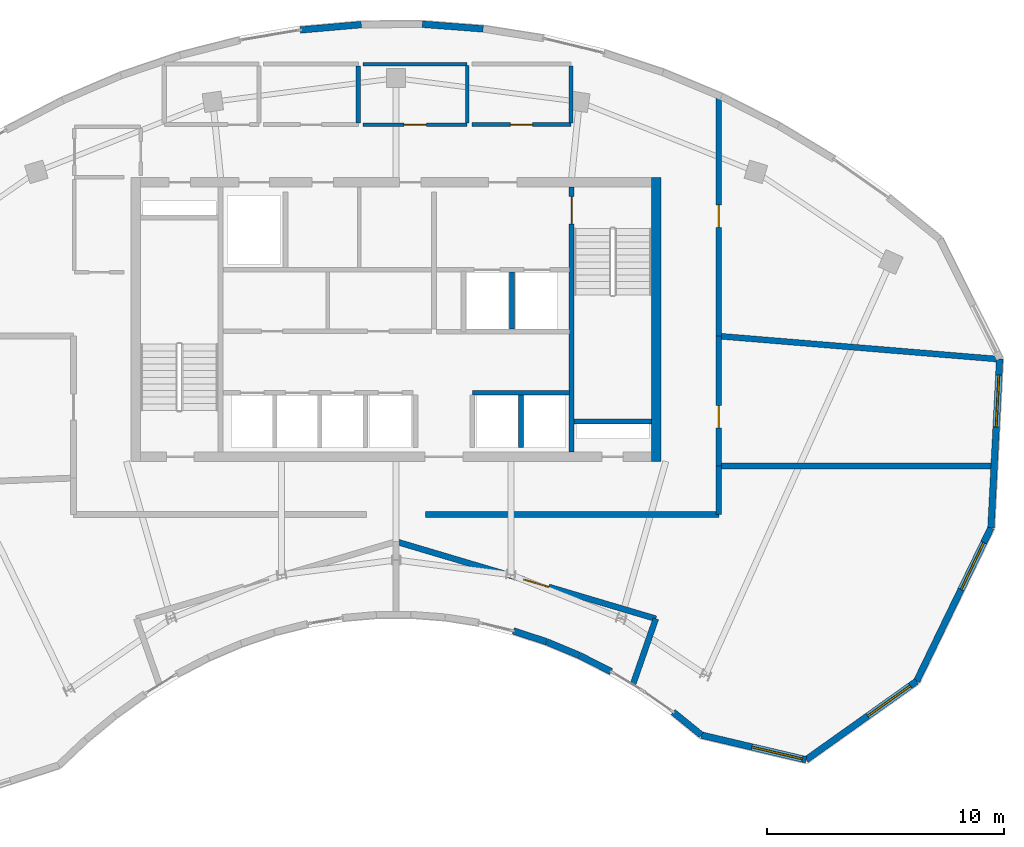
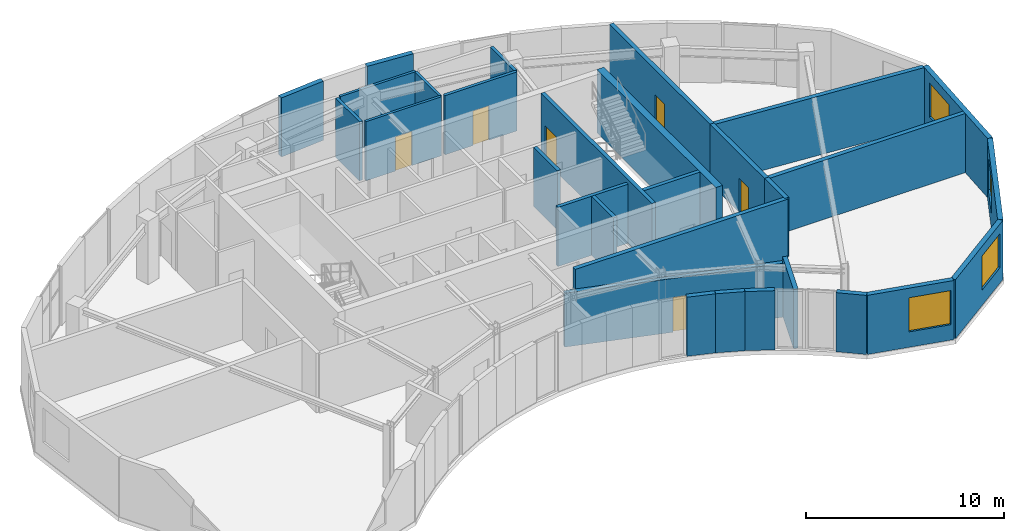
# One storey, part 7 of 9: 30 walls, 6 doors, 4 windows, 10 openings.
"""IFC4 building model written with IfcOpenShell, lengths in metres."""

from ifc_helpers import new_model, si_unit, direction, frame, frame_2d, origin, place, context, subcontext, project, spatial, rectangle, extrude, source, transform, mapped, material, layer, layer_set, type_object, type_shapes, element, fill, save


model = new_model("IFC4")

# Units and contexts
model_context = context("Model", 3, precision=1e-05, world=origin(), true_north=direction((0.0, 1.0)))
body_context = subcontext(model_context, "Body", "Model", "MODEL_VIEW")
ifc_project = project(units=[si_unit("LENGTHUNIT", "METRE"), si_unit("AREAUNIT", "SQUARE_METRE"), si_unit("VOLUMEUNIT", "CUBIC_METRE"), si_unit("PLANEANGLEUNIT", "RADIAN"), si_unit("MASSUNIT", "GRAM", prefix="KILO")], contexts=[model_context])

# Site, building, storey
site_placement = place(None, origin())
site = spatial("IfcSite", under=ifc_project, at=site_placement, CompositionType="ELEMENT")
building_placement = place(site_placement, origin())
building = spatial("IfcBuilding", under=site, at=building_placement, Name="Breltana Convention Tower", CompositionType="ELEMENT")
storey_placement = place(building_placement, frame((0.0, 0.0, 299.10009765625)))
storey = spatial("IfcBuildingStorey", under=building, at=storey_placement, Name="L73", CompositionType="ELEMENT", Elevation=299.10009765625)

# Walls
ifc_material_1 = material(Name="Concrete C50/60", Category="concrete")
ifc_layer_1 = layer(ifc_material_1, 0.39990234375, Name="Concrete C50/60")
ifc_layer_set_1 = layer_set([ifc_layer_1], Name="Concrete C50/60")
wall_type_1 = type_object("IfcWallType", Name="SW-CORE-400", PredefinedType="SHEAR", material=ifc_layer_set_1)
shared_shape_1 = source(origin(), body_context, "Body", "SweptSolid", [
    extrude(rectangle(XDim=3.27001953125, YDim=0.219970703125, at=frame_2d((1.635009765625, 0.0))), origin(), (0.0, 0.0, 1.0), 3.89990234375),
])
wall_1_placement = place(storey_placement, frame((55.530029296875, 61.889892578125, 0.0), z_axis=(0.0, 0.0, 1.0), x_axis=(1.0, 0.0, 0.0)))
element("IfcWall", 1, at=wall_1_placement, inside=storey, type_object=wall_type_1, Name="L73 ST-2 Stairwell South Bearing Wall", PredefinedType="SHEAR", context=body_context, shape_type="MappedRepresentation", body=[
    mapped(shared_shape_1, transform((0.0, 0.0, 0.0), scale=1.0)),
])
shared_shape_2 = source(origin(), body_context, "Body", "SweptSolid", [
    extrude(rectangle(XDim=12.0, YDim=0.39990234375, at=frame_2d((6.0, 0.0))), origin(), (0.0, 0.0, 1.0), 3.89990234375),
])
wall_2_placement = place(storey_placement, frame((59.0, 60.199951171875, 0.0), z_axis=(0.0, 0.0, 1.0), x_axis=(0.0, 1.0, 0.0)))
element("IfcWall", 2, at=wall_2_placement, inside=storey, type_object=wall_type_1, Name="L73 East Core Shear Wall", PredefinedType="SHEAR", context=body_context, shape_type="MappedRepresentation", body=[
    mapped(shared_shape_2, transform((0.0, 0.0, 0.0), scale=1.0)),
])

# Wall, opening, door
shared_shape_3 = source(origin(), body_context, "Body", "SweptSolid", [
    extrude(rectangle(XDim=11.199951171875, YDim=0.219970703125, at=frame_2d((5.60009765625, 0.0))), origin(), (0.0, 0.0, 1.0), 3.89990234375),
])
wall_3_placement = place(storey_placement, frame((55.419921875, 60.60009765625, 0.0), z_axis=(0.0, 0.0, 1.0), x_axis=(0.0, 1.0, 0.0)))
wall_3 = element("IfcWall", 3, at=wall_3_placement, inside=storey, type_object=wall_type_1, Name="L73 Core East Stair Spine Wall", PredefinedType="SHEAR", context=body_context, shape_type="MappedRepresentation", body=[
    mapped(shared_shape_3, transform((0.0, 0.0, 0.0), scale=1.0)),
])
opening_1_placement = place(wall_3_placement, frame((9.64501953125, 0.0, 0.0)))
opening_1 = element("IfcOpeningElement", 4, at=opening_1_placement, cuts=wall_3, Name="Opening D-11", PredefinedType="OPENING", context=body_context, shape_type="SweptSolid", body=[
    extrude(rectangle(XDim=1.14990234375, YDim=2.14990234375, at=frame_2d((0.574951171875, 1.074951171875))), frame((0.0, 0.1201171875, 0.0), z_axis=(0.0, -1.0, 0.0), x_axis=(1.0, 0.0, 0.0)), (0.0, 0.0, 1.0), 0.239990234375),
])
ifc_material_2 = material(Name="Steel Stair Exit Door", Category="steel")
door_type_1 = type_object("IfcDoorType", Name="DR-FD120-1150", OperationType="NOTDEFINED", PredefinedType="DOOR", material=ifc_material_2)
shared_shape_4 = source(origin(), body_context, "Body", "SweptSolid", [
    extrude(rectangle(XDim=1.14990234375, YDim=2.14990234375, at=frame_2d((0.574951171875, 1.074951171875))), frame((0.0, 0.02490234375, 0.0), z_axis=(0.0, -1.0, 0.0), x_axis=(1.0, 0.0, 0.0)), (0.0, 0.0, 1.0), 0.050048828125),
])
type_shapes(door_type_1, [shared_shape_4])
door_1_placement = place(opening_1_placement, origin())
door_1 = element("IfcDoor", 5, at=door_1_placement, inside=storey, type_object=door_type_1, Name="L73 interior door D-L73-ST2", OperationType="SINGLE_SWING_LEFT", OverallHeight=2.14990234375, OverallWidth=1.14990234375, PredefinedType="DOOR", context=body_context, shape_type="MappedRepresentation", body=[
    mapped(shared_shape_4, transform((0.0, 0.0, 0.0), scale=1.0)),
])
fill(opening_1, door_1)

# Wall, opening, window
ifc_material_3 = material(Name="Limestone Buff Insulated Wall", Category="masonry")
ifc_layer_2 = layer(ifc_material_3, 0.280029296875, Name="Limestone Buff Insulated Wall")
ifc_layer_set_2 = layer_set([ifc_layer_2], Name="Limestone Buff Insulated Wall")
wall_type_2 = type_object("IfcWallType", Name="WL-EXT-NOSE-280", PredefinedType="SOLIDWALL", material=ifc_layer_set_2)
shared_shape_5 = source(origin(), body_context, "Body", "SweptSolid", [
    extrude(rectangle(XDim=7.151123046875, YDim=0.280029296875, at=frame_2d((3.57568359375, 0.0))), origin(), (0.0, 0.0, 1.0), 3.639892578125),
])
wall_4_placement = place(storey_placement, frame((73.516357421875, 64.540283203125, 0.0), z_axis=(0.0, 0.0, 1.0), x_axis=(-0.051449614265, -0.998675591567, 0.0)))
wall_4 = element("IfcWall", 6, at=wall_4_placement, inside=storey, type_object=wall_type_2, Name="L73 curved limestone nose wall E2", PredefinedType="SOLIDWALL", context=body_context, shape_type="MappedRepresentation", body=[
    mapped(shared_shape_5, transform((0.0, 0.0, 0.0), scale=1.0)),
])
opening_2_placement = place(wall_4_placement, frame((0.687744140625, 0.0, 0.949951171875)))
opening_2 = element("IfcOpeningElement", 7, at=opening_2_placement, cuts=wall_4, Name="Opening W-03", PredefinedType="OPENING", context=body_context, shape_type="SweptSolid", body=[
    extrude(rectangle(XDim=2.199951171875, YDim=2.10009765625, at=frame_2d((1.10009765625, 1.050048828125))), frame((0.0, 0.14990234375, 0.0), z_axis=(0.0, -1.0, 0.0), x_axis=(1.0, 0.0, 0.0)), (0.0, 0.0, 1.0), 0.300048828125),
])
ifc_material_4 = material(Name="Glass Low-E Insulated Window", Category="glass")
window_type = type_object("IfcWindowType", Name="WN-NOSE-2200X2100", PartitioningType="TRIPLE_PANEL_VERTICAL", PredefinedType="WINDOW", material=ifc_material_4)
shared_shape_6 = source(origin(), body_context, "Body", "SweptSolid", [
    extrude(rectangle(XDim=2.199951171875, YDim=2.10009765625, at=frame_2d((1.10009765625, 1.050048828125))), frame((0.0, 0.030029296875, 0.0), z_axis=(0.0, -1.0, 0.0), x_axis=(1.0, 0.0, 0.0)), (0.0, 0.0, 1.0), 0.06005859375),
])
type_shapes(window_type, [shared_shape_6])
window_1_placement = place(opening_2_placement, origin())
window_1 = element("IfcWindow", 8, at=window_1_placement, inside=storey, type_object=window_type, Name="L73 nose window E2", OverallHeight=2.10009765625, OverallWidth=2.199951171875, PartitioningType="TRIPLE_PANEL_VERTICAL", PredefinedType="WINDOW", context=body_context, shape_type="MappedRepresentation", body=[
    mapped(shared_shape_6, transform((0.0, 0.0, 0.0), scale=1.0)),
])
fill(opening_2, window_1)

shared_shape_7 = source(origin(), body_context, "Body", "SweptSolid", [
    extrude(rectangle(XDim=7.21142578125, YDim=0.280029296875, at=frame_2d((3.605712890625, 0.0))), origin(), (0.0, 0.0, 1.0), 3.639892578125),
])
wall_5_placement = place(storey_placement, frame((73.1484375, 57.398681640625, 0.0), z_axis=(0.0, 0.0, 1.0), x_axis=(-0.436088263006, -0.899903898685, 0.0)))
wall_5 = element("IfcWall", 9, at=wall_5_placement, inside=storey, type_object=wall_type_2, Name="L73 curved limestone nose wall E3", PredefinedType="SOLIDWALL", context=body_context, shape_type="MappedRepresentation", body=[
    mapped(shared_shape_7, transform((0.0, 0.0, 0.0), scale=1.0)),
])
opening_3_placement = place(wall_5_placement, frame((0.702880859375, 0.0, 0.949951171875)))
opening_3 = element("IfcOpeningElement", 10, at=opening_3_placement, cuts=wall_5, Name="Opening W-03", PredefinedType="OPENING", context=body_context, shape_type="SweptSolid", body=[
    extrude(rectangle(XDim=2.199951171875, YDim=2.10009765625, at=frame_2d((1.10009765625, 1.050048828125))), frame((0.0, 0.14990234375, 0.0), z_axis=(0.0, -1.0, 0.0), x_axis=(1.0, 0.0, 0.0)), (0.0, 0.0, 1.0), 0.300048828125),
])
window_2_placement = place(opening_3_placement, origin())
window_2 = element("IfcWindow", 11, at=window_2_placement, inside=storey, type_object=window_type, Name="L73 nose window E3", OverallHeight=2.10009765625, OverallWidth=2.199951171875, PartitioningType="TRIPLE_PANEL_VERTICAL", PredefinedType="WINDOW", context=body_context, shape_type="MappedRepresentation", body=[
    mapped(shared_shape_6, transform((0.0, 0.0, 0.0), scale=1.0)),
])
fill(opening_3, window_2)

shared_shape_8 = source(origin(), body_context, "Body", "SweptSolid", [
    extrude(rectangle(XDim=5.730712890625, YDim=0.280029296875, at=frame_2d((2.865234375, 0.0))), origin(), (0.0, 0.0, 1.0), 3.639892578125),
])
wall_6_placement = place(storey_placement, frame((70.003662109375, 50.9091796875, 0.0), z_axis=(0.0, 0.0, 1.0), x_axis=(-0.815021045908, -0.579431354629, 0.0)))
wall_6 = element("IfcWall", 12, at=wall_6_placement, inside=storey, type_object=wall_type_2, Name="L73 curved limestone nose wall E4", PredefinedType="SOLIDWALL", context=body_context, shape_type="MappedRepresentation", body=[
    mapped(shared_shape_8, transform((0.0, 0.0, 0.0), scale=1.0)),
])
opening_4_placement = place(wall_6_placement, frame((0.332763671875, 0.0, 0.949951171875)))
opening_4 = element("IfcOpeningElement", 13, at=opening_4_placement, cuts=wall_6, Name="Opening W-03", PredefinedType="OPENING", context=body_context, shape_type="SweptSolid", body=[
    extrude(rectangle(XDim=2.199951171875, YDim=2.10009765625, at=frame_2d((1.10009765625, 1.050048828125))), frame((0.0, 0.14990234375, 0.0), z_axis=(0.0, -1.0, 0.0), x_axis=(1.0, 0.0, 0.0)), (0.0, 0.0, 1.0), 0.300048828125),
])
window_3_placement = place(opening_4_placement, origin())
window_3 = element("IfcWindow", 14, at=window_3_placement, inside=storey, type_object=window_type, Name="L73 nose window E4", OverallHeight=2.10009765625, OverallWidth=2.199951171875, PartitioningType="TRIPLE_PANEL_VERTICAL", PredefinedType="WINDOW", context=body_context, shape_type="MappedRepresentation", body=[
    mapped(shared_shape_6, transform((0.0, 0.0, 0.0), scale=1.0)),
])
fill(opening_4, window_3)

shared_shape_9 = source(origin(), body_context, "Body", "SweptSolid", [
    extrude(rectangle(XDim=4.546630859375, YDim=0.280029296875, at=frame_2d((2.2734375, 0.0))), origin(), (0.0, 0.0, 1.0), 3.639892578125),
])
wall_7_placement = place(storey_placement, frame((65.3330078125, 47.588623046875, 0.0), z_axis=(0.0, 0.0, 1.0), x_axis=(-0.973332593516, 0.229398479505, 0.0)))
wall_7 = element("IfcWall", 15, at=wall_7_placement, inside=storey, type_object=wall_type_2, Name="L73 curved limestone nose wall E5", PredefinedType="SOLIDWALL", context=body_context, shape_type="MappedRepresentation", body=[
    mapped(shared_shape_9, transform((0.0, 0.0, 0.0), scale=1.0)),
])
opening_5_placement = place(wall_7_placement, frame((0.159912109375, 0.0, 0.949951171875)))
opening_5 = element("IfcOpeningElement", 16, at=opening_5_placement, cuts=wall_7, Name="Opening W-03", PredefinedType="OPENING", context=body_context, shape_type="SweptSolid", body=[
    extrude(rectangle(XDim=2.199951171875, YDim=2.10009765625, at=frame_2d((1.10009765625, 1.050048828125))), frame((0.0, 0.14990234375, 0.0), z_axis=(0.0, -1.0, 0.0), x_axis=(1.0, 0.0, 0.0)), (0.0, 0.0, 1.0), 0.300048828125),
])
window_4_placement = place(opening_5_placement, origin())
window_4 = element("IfcWindow", 17, at=window_4_placement, inside=storey, type_object=window_type, Name="L73 nose window E5", OverallHeight=2.10009765625, OverallWidth=2.199951171875, PartitioningType="TRIPLE_PANEL_VERTICAL", PredefinedType="WINDOW", context=body_context, shape_type="MappedRepresentation", body=[
    mapped(shared_shape_6, transform((0.0, 0.0, 0.0), scale=1.0)),
])
fill(opening_5, window_4)

# Walls
shared_shape_10 = source(origin(), body_context, "Body", "SweptSolid", [
    extrude(rectangle(XDim=1.54345703125, YDim=0.280029296875, at=frame_2d((0.771728515625, 0.0))), origin(), (0.0, 0.0, 1.0), 3.639892578125),
])
wall_8_placement = place(storey_placement, frame((60.90771484375, 48.631591796875, 0.0), z_axis=(0.0, 0.0, 1.0), x_axis=(-0.77582846857, 0.63094388606, 0.0)))
element("IfcWall", 18, at=wall_8_placement, inside=storey, type_object=wall_type_2, Name="L73 curved limestone nose wall E6", PredefinedType="SOLIDWALL", context=body_context, shape_type="MappedRepresentation", body=[
    mapped(shared_shape_10, transform((0.0, 0.0, 0.0), scale=1.0)),
])
shared_shape_11 = source(origin(), body_context, "Body", "SweptSolid", [
    extrude(rectangle(XDim=1.508544921875, YDim=0.280029296875, at=frame_2d((0.75439453125, 0.0))), origin(), (0.0, 0.0, 1.0), 3.639892578125),
])
wall_9_placement = place(storey_placement, frame((57.09375, 51.3154296875, 0.0), z_axis=(0.0, 0.0, 1.0), x_axis=(-0.89169189228, 0.452642871635, 0.0)))
element("IfcWall", 19, at=wall_9_placement, inside=storey, type_object=wall_type_2, Name="L73 curved limestone nose wall E7", PredefinedType="SOLIDWALL", context=body_context, shape_type="MappedRepresentation", body=[
    mapped(shared_shape_11, transform((0.0, 0.0, 0.0), scale=1.0)),
])
shared_shape_12 = source(origin(), body_context, "Body", "SweptSolid", [
    extrude(rectangle(XDim=1.48779296875, YDim=0.280029296875, at=frame_2d((0.743896484375, 0.0))), origin(), (0.0, 0.0, 1.0), 3.639892578125),
])
wall_10_placement = place(storey_placement, frame((55.736328125, 52.00390625, 0.0), z_axis=(0.0, 0.0, 1.0), x_axis=(-0.923261314935, 0.384172545017, 0.0)))
element("IfcWall", 20, at=wall_10_placement, inside=storey, type_object=wall_type_2, Name="L73 curved limestone nose wall E8", PredefinedType="SOLIDWALL", context=body_context, shape_type="MappedRepresentation", body=[
    mapped(shared_shape_12, transform((0.0, 0.0, 0.0), scale=1.0)),
])
shared_shape_13 = source(origin(), body_context, "Body", "SweptSolid", [
    extrude(rectangle(XDim=1.470458984375, YDim=0.280029296875, at=frame_2d((0.7353515625, 0.0))), origin(), (0.0, 0.0, 1.0), 3.639892578125),
])
wall_11_placement = place(storey_placement, frame((54.349609375, 52.580322265625, 0.0), z_axis=(0.0, 0.0, 1.0), x_axis=(-0.950248878954, 0.311491682145, 0.0)))
element("IfcWall", 21, at=wall_11_placement, inside=storey, type_object=wall_type_2, Name="L73 curved limestone nose wall E9", PredefinedType="SOLIDWALL", context=body_context, shape_type="MappedRepresentation", body=[
    mapped(shared_shape_13, transform((0.0, 0.0, 0.0), scale=1.0)),
])
shared_shape_14 = source(origin(), body_context, "Body", "SweptSolid", [
    extrude(rectangle(XDim=2.58251953125, YDim=0.280029296875, at=frame_2d((1.291259765625, 0.0))), origin(), (0.0, 0.0, 1.0), 3.639892578125),
])
wall_12_placement = place(storey_placement, frame((43.954345703125, 78.4423828125, 0.0), z_axis=(0.0, 0.0, 1.0), x_axis=(0.996168946569, 0.087449584851, 0.0)))
element("IfcWall", 22, at=wall_12_placement, inside=storey, type_object=wall_type_2, Name="L73 curved limestone nose wall E25", PredefinedType="SOLIDWALL", context=body_context, shape_type="MappedRepresentation", body=[
    mapped(shared_shape_14, transform((0.0, 0.0, 0.0), scale=1.0)),
])
shared_shape_15 = source(origin(), body_context, "Body", "SweptSolid", [
    extrude(rectangle(XDim=2.581298828125, YDim=0.280029296875, at=frame_2d((1.29052734375, 0.0))), origin(), (0.0, 0.0, 1.0), 3.639892578125),
])
wall_13_placement = place(storey_placement, frame((49.10498046875, 78.68359375, 0.0), z_axis=(0.0, 0.0, 1.0), x_axis=(0.997111514352, -0.075951484161, 0.0)))
element("IfcWall", 23, at=wall_13_placement, inside=storey, type_object=wall_type_2, Name="L73 curved limestone nose wall E27", PredefinedType="SOLIDWALL", context=body_context, shape_type="MappedRepresentation", body=[
    mapped(shared_shape_15, transform((0.0, 0.0, 0.0), scale=1.0)),
])
ifc_material_5 = material(Name="Autoclaved Aerated Concrete Block", Category="concrete")
ifc_layer_3 = layer(ifc_material_5, 0.199951171875, Name="Autoclaved Aerated Concrete Block")
ifc_layer_set_3 = layer_set([ifc_layer_3], Name="Autoclaved Aerated Concrete Block")
wall_type_3 = type_object("IfcWallType", Name="WL-SHAFT-200", PredefinedType="SOLIDWALL", material=ifc_layer_set_3)
shared_shape_16 = source(origin(), body_context, "Body", "SweptSolid", [
    extrude(rectangle(XDim=2.39990234375, YDim=0.199951171875, at=frame_2d((1.199951171875, 0.0))), origin(), (0.0, 0.0, 1.0), 3.639892578125),
])
wall_14_placement = place(storey_placement, frame((52.89990234375, 65.800048828125, 0.0), z_axis=(0.0, 0.0, 1.0), x_axis=(0.0, 1.0, 0.0)))
element("IfcWall", 24, at=wall_14_placement, inside=storey, type_object=wall_type_3, Name="L73 interior partition W-L73-FL-DIV", PredefinedType="SOLIDWALL", context=body_context, shape_type="MappedRepresentation", body=[
    mapped(shared_shape_16, transform((0.0, 0.0, 0.0), scale=1.0)),
])
shared_shape_17 = source(origin(), body_context, "Body", "SweptSolid", [
    extrude(rectangle(XDim=4.10009765625, YDim=0.199951171875, at=frame_2d((2.050048828125, 0.0))), origin(), (0.0, 0.0, 1.0), 3.639892578125),
])
wall_15_placement = place(storey_placement, frame((51.219970703125, 63.10009765625, 0.0), z_axis=(0.0, 0.0, 1.0), x_axis=(1.0, 0.0, 0.0)))
element("IfcWall", 25, at=wall_15_placement, inside=storey, type_object=wall_type_3, Name="L73 interior partition W-L73-SH-X-FRONT", PredefinedType="SOLIDWALL", context=body_context, shape_type="MappedRepresentation", body=[
    mapped(shared_shape_17, transform((0.0, 0.0, 0.0), scale=1.0)),
])
shared_shape_18 = source(origin(), body_context, "Body", "SweptSolid", [
    extrude(rectangle(XDim=2.199951171875, YDim=0.199951171875, at=frame_2d((1.10009765625, 0.0))), origin(), (0.0, 0.0, 1.0), 3.639892578125),
])
wall_16_placement = place(storey_placement, frame((53.280029296875, 60.800048828125, 0.0), z_axis=(0.0, 0.0, 1.0), x_axis=(0.0, 1.0, 0.0)))
element("IfcWall", 26, at=wall_16_placement, inside=storey, type_object=wall_type_3, Name="L73 interior partition W-L73-SH-X-DIV", PredefinedType="SOLIDWALL", context=body_context, shape_type="MappedRepresentation", body=[
    mapped(shared_shape_18, transform((0.0, 0.0, 0.0), scale=1.0)),
])
ifc_material_6 = material(Name="Cement Board Wet-Area Partition")
ifc_layer_4 = layer(ifc_material_6, 0.175048828125, Name="Cement Board Wet-Area Partition")
ifc_layer_set_4 = layer_set([ifc_layer_4], Name="Cement Board Wet-Area Partition")
wall_type_4 = type_object("IfcWallType", Name="WL-WET-175", PredefinedType="PARTITIONING", material=ifc_layer_set_4)
shared_shape_19 = source(origin(), body_context, "Body", "SweptSolid", [
    extrude(rectangle(XDim=2.402587890625, YDim=0.175048828125, at=frame_2d((1.201171875, 0.0))), origin(), (0.0, 0.0, 1.0), 3.639892578125),
])
for number, where, z_axis, x_axis, name in (
    (27, (46.39990234375, 74.518798828125, 0.0), (0.0, 0.0, 1.0), (0.0, 1.0, 0.0), "L73 interior partition W-L73-WCF-E"),
    (28, (55.39990234375, 74.518798828125, 0.0), (0.0, 0.0, 1.0), (0.0, 1.0, 0.0), "L73 interior partition W-L73-WCA-E"),
):
    element("IfcWall", number, at=place(storey_placement, frame(where, z_axis=z_axis, x_axis=x_axis)), inside=storey, type_object=wall_type_4, Name=name, PredefinedType="PARTITIONING", context=body_context, shape_type="MappedRepresentation", body=[
        mapped(shared_shape_19, transform((0.0, 0.0, 0.0), scale=1.0)),
    ])

# Wall, opening, door
ifc_material_7 = material(Name="Gypsum Acoustic Drywall Partition")
ifc_layer_5 = layer(ifc_material_7, 0.14990234375, Name="Gypsum Acoustic Drywall Partition")
ifc_layer_set_5 = layer_set([ifc_layer_5], Name="Gypsum Acoustic Drywall Partition")
wall_type_5 = type_object("IfcWallType", Name="WL-PART-150", PredefinedType="PARTITIONING", material=ifc_layer_set_5)
shared_shape_20 = source(origin(), body_context, "Body", "SweptSolid", [
    extrude(rectangle(XDim=4.39990234375, YDim=0.14990234375, at=frame_2d((2.199951171875, 0.0))), origin(), (0.0, 0.0, 1.0), 3.639892578125),
])
wall_17_placement = place(storey_placement, frame((46.60009765625, 74.43994140625, 0.0), z_axis=(0.0, 0.0, 1.0), x_axis=(1.0, 0.0, 0.0)))
wall_17 = element("IfcWall", 29, at=wall_17_placement, inside=storey, type_object=wall_type_5, Name="L73 interior partition W-L73-PNT-S", PredefinedType="PARTITIONING", context=body_context, shape_type="MappedRepresentation", body=[
    mapped(shared_shape_20, transform((0.0, 0.0, 0.0), scale=1.0)),
])
opening_6_placement = place(wall_17_placement, frame((1.72509765625, 0.0, 0.0)))
opening_6 = element("IfcOpeningElement", 30, at=opening_6_placement, cuts=wall_17, Name="Opening D-17", PredefinedType="OPENING", context=body_context, shape_type="SweptSolid", body=[
    extrude(rectangle(XDim=0.949951171875, YDim=2.10009765625, at=frame_2d((0.47509765625, 1.050048828125))), frame((0.0, 0.0849609375, 0.0), z_axis=(0.0, -1.0, 0.0), x_axis=(1.0, 0.0, 0.0)), (0.0, 0.0, 1.0), 0.169921875),
])
ifc_material_8 = material(Name="Timber Oak Veneer Door", Category="wood")
door_type_2 = type_object("IfcDoorType", Name="DR-INT-950", OperationType="NOTDEFINED", PredefinedType="DOOR", material=ifc_material_8)
shared_shape_21 = source(origin(), body_context, "Body", "SweptSolid", [
    extrude(rectangle(XDim=0.949951171875, YDim=2.10009765625, at=frame_2d((0.47509765625, 1.050048828125))), frame((0.0, 0.02490234375, 0.0), z_axis=(0.0, -1.0, 0.0), x_axis=(1.0, 0.0, 0.0)), (0.0, 0.0, 1.0), 0.050048828125),
])
type_shapes(door_type_2, [shared_shape_21])
door_2_placement = place(opening_6_placement, origin())
door_2 = element("IfcDoor", 31, at=door_2_placement, inside=storey, type_object=door_type_2, Name="L73 interior door D-L73-PNT", OperationType="SINGLE_SWING_LEFT", OverallHeight=2.10009765625, OverallWidth=0.949951171875, PredefinedType="DOOR", context=body_context, shape_type="MappedRepresentation", body=[
    mapped(shared_shape_21, transform((0.0, 0.0, 0.0), scale=1.0)),
])
fill(opening_6, door_2)

# Walls
wall_18_placement = place(storey_placement, frame((46.60009765625, 77.0, 0.0), z_axis=(0.0, 0.0, 1.0), x_axis=(1.0, 0.0, 0.0)))
element("IfcWall", 32, at=wall_18_placement, inside=storey, type_object=wall_type_5, Name="L73 interior partition W-L73-PNT-N", PredefinedType="PARTITIONING", context=body_context, shape_type="MappedRepresentation", body=[
    mapped(shared_shape_20, transform((0.0, 0.0, 0.0), scale=1.0)),
])
shared_shape_22 = source(origin(), body_context, "Body", "SweptSolid", [
    extrude(rectangle(XDim=2.425048828125, YDim=0.14990234375, at=frame_2d((1.21240234375, 0.0))), origin(), (0.0, 0.0, 1.0), 3.639892578125),
])
wall_19_placement = place(storey_placement, frame((51.0, 74.507568359375, 0.0), z_axis=(0.0, 0.0, 1.0), x_axis=(0.0, 1.0, 0.0)))
element("IfcWall", 33, at=wall_19_placement, inside=storey, type_object=wall_type_5, Name="L73 interior partition W-L73-PNT-E", PredefinedType="PARTITIONING", context=body_context, shape_type="MappedRepresentation", body=[
    mapped(shared_shape_22, transform((0.0, 0.0, 0.0), scale=1.0)),
])

# Wall, opening, door
shared_shape_23 = source(origin(), body_context, "Body", "SweptSolid", [
    extrude(rectangle(XDim=4.199951171875, YDim=0.175048828125, at=frame_2d((2.10009765625, 0.0))), origin(), (0.0, 0.0, 1.0), 3.639892578125),
])
wall_20_placement = place(storey_placement, frame((51.199951171875, 74.43994140625, 0.0), z_axis=(0.0, 0.0, 1.0), x_axis=(1.0, 0.0, 0.0)))
wall_20 = element("IfcWall", 34, at=wall_20_placement, inside=storey, type_object=wall_type_4, Name="L73 interior partition W-L73-WCA-S", PredefinedType="PARTITIONING", context=body_context, shape_type="MappedRepresentation", body=[
    mapped(shared_shape_23, transform((0.0, 0.0, 0.0), scale=1.0)),
])
opening_7_placement = place(wall_20_placement, frame((1.625, 0.0, 0.0)))
opening_7 = element("IfcOpeningElement", 35, at=opening_7_placement, cuts=wall_20, Name="Opening D-16", PredefinedType="OPENING", context=body_context, shape_type="SweptSolid", body=[
    extrude(rectangle(XDim=0.949951171875, YDim=2.1201171875, at=frame_2d((0.47509765625, 1.06005859375))), frame((0.0, 0.09765625, 0.0), z_axis=(0.0, -1.0, 0.0), x_axis=(1.0, 0.0, 0.0)), (0.0, 0.0, 1.0), 0.195068359375),
])
ifc_material_9 = material(Name="Timber Laminate Accessible Door", Category="wood")
door_type_3 = type_object("IfcDoorType", Name="DR-ACC-950", OperationType="NOTDEFINED", PredefinedType="DOOR", material=ifc_material_9)
shared_shape_24 = source(origin(), body_context, "Body", "SweptSolid", [
    extrude(rectangle(XDim=0.949951171875, YDim=2.1201171875, at=frame_2d((0.47509765625, 1.06005859375))), frame((0.0, 0.02490234375, 0.0), z_axis=(0.0, -1.0, 0.0), x_axis=(1.0, 0.0, 0.0)), (0.0, 0.0, 1.0), 0.050048828125),
])
type_shapes(door_type_3, [shared_shape_24])
door_3_placement = place(opening_7_placement, origin())
door_3 = element("IfcDoor", 36, at=door_3_placement, inside=storey, type_object=door_type_3, Name="L73 interior door D-L73-WCA", OperationType="SINGLE_SWING_RIGHT", OverallHeight=2.1201171875, OverallWidth=0.949951171875, PredefinedType="DOOR", context=body_context, shape_type="MappedRepresentation", body=[
    mapped(shared_shape_24, transform((0.0, 0.0, 0.0), scale=1.0)),
])
fill(opening_7, door_3)

ifc_material_10 = material(Name="Gypsum Acoustic Double Stud Wall")
ifc_layer_6 = layer(ifc_material_10, 0.25, Name="Gypsum Acoustic Double Stud Wall")
ifc_layer_set_6 = layer_set([ifc_layer_6], Name="Gypsum Acoustic Double Stud Wall")
wall_type_6 = type_object("IfcWallType", Name="WL-ACOUSTIC-250", PredefinedType="PARTITIONING", material=ifc_layer_set_6)
shared_shape_25 = source(origin(), body_context, "Body", "SweptSolid", [
    extrude(rectangle(XDim=11.453857421875, YDim=0.25, at=frame_2d((5.72705078125, 0.0))), origin(), (0.0, 0.0, 1.0), 3.31396484375),
])
wall_21_placement = place(storey_placement, frame((48.0, 56.813232421875, 0.0), z_axis=(0.0, 0.0, 1.0), x_axis=(0.958594874645, -0.284773359541, 0.0)))
wall_21 = element("IfcWall", 37, at=wall_21_placement, inside=storey, type_object=wall_type_6, Name="L73 interior partition W-L73-ES2-COR", PredefinedType="PARTITIONING", context=body_context, shape_type="MappedRepresentation", body=[
    mapped(shared_shape_25, transform((0.0, 0.0, 0.0), scale=1.0)),
])
opening_8_placement = place(wall_21_placement, frame((5.626953125, 0.0, 0.0)))
opening_8 = element("IfcOpeningElement", 38, at=opening_8_placement, cuts=wall_21, Name="Opening D-12", PredefinedType="OPENING", context=body_context, shape_type="SweptSolid", body=[
    extrude(rectangle(XDim=1.10009765625, YDim=2.14990234375, at=frame_2d((0.550048828125, 1.074951171875))), frame((0.0, 0.135009765625, 0.0), z_axis=(0.0, -1.0, 0.0), x_axis=(1.0, 0.0, 0.0)), (0.0, 0.0, 1.0), 0.27001953125),
])
ifc_material_11 = material(Name="Timber Oak Acoustic Door", Category="wood")
door_type_4 = type_object("IfcDoorType", Name="DR-INT-1100", OperationType="NOTDEFINED", PredefinedType="DOOR", material=ifc_material_11)
shared_shape_26 = source(origin(), body_context, "Body", "SweptSolid", [
    extrude(rectangle(XDim=1.10009765625, YDim=2.14990234375, at=frame_2d((0.550048828125, 1.074951171875))), frame((0.0, 0.02490234375, 0.0), z_axis=(0.0, -1.0, 0.0), x_axis=(1.0, 0.0, 0.0)), (0.0, 0.0, 1.0), 0.050048828125),
])
type_shapes(door_type_4, [shared_shape_26])
door_4_placement = place(opening_8_placement, origin())
door_4 = element("IfcDoor", 39, at=door_4_placement, inside=storey, type_object=door_type_4, Name="L73 interior door D-L73-ES2", OperationType="SINGLE_SWING_RIGHT", OverallHeight=2.14990234375, OverallWidth=1.10009765625, PredefinedType="DOOR", context=body_context, shape_type="MappedRepresentation", body=[
    mapped(shared_shape_26, transform((0.0, 0.0, 0.0), scale=1.0)),
])
fill(opening_8, door_4)

# Walls
shared_shape_27 = source(origin(), body_context, "Body", "SweptSolid", [
    extrude(rectangle(XDim=2.94189453125, YDim=0.25, at=frame_2d((1.470947265625, 0.0))), origin(), (0.0, 0.0, 1.0), 3.639892578125),
])
wall_22_placement = place(storey_placement, frame((58.0126953125, 50.77294921875, 0.0), z_axis=(0.0, 0.0, 1.0), x_axis=(0.328623620494, 0.944460965871, 0.0)))
element("IfcWall", 40, at=wall_22_placement, inside=storey, type_object=wall_type_6, Name="L73 interior partition W-L73-ES2-RB", PredefinedType="PARTITIONING", context=body_context, shape_type="MappedRepresentation", body=[
    mapped(shared_shape_27, transform((0.0, 0.0, 0.0), scale=1.0)),
])
shared_shape_28 = source(origin(), body_context, "Body", "SweptSolid", [
    extrude(rectangle(XDim=12.389892578125, YDim=0.25, at=frame_2d((6.19482421875, 0.0))), origin(), (0.0, 0.0, 1.0), 3.639892578125),
])
wall_23_placement = place(storey_placement, frame((49.25, 57.9599609375, 0.0), z_axis=(0.0, 0.0, 1.0), x_axis=(1.0, 0.0, 0.0)))
element("IfcWall", 41, at=wall_23_placement, inside=storey, type_object=wall_type_6, Name="L73 interior partition W-L73-Z45-CSE", PredefinedType="PARTITIONING", context=body_context, shape_type="MappedRepresentation", body=[
    mapped(shared_shape_28, transform((0.0, 0.0, 0.0), scale=1.0)),
])
shared_shape_29 = source(origin(), body_context, "Body", "SweptSolid", [
    extrude(rectangle(XDim=11.632568359375, YDim=0.25, at=frame_2d((5.81640625, 0.0))), origin(), (0.0, 0.0, 1.0), 3.639892578125),
])
wall_24_placement = place(storey_placement, frame((61.639892578125, 60.0, 0.0), z_axis=(0.0, 0.0, 1.0), x_axis=(1.0, 0.0, 0.0)))
element("IfcWall", 42, at=wall_24_placement, inside=storey, type_object=wall_type_6, Name="L73 interior partition W-L73-EXE1-N", PredefinedType="PARTITIONING", context=body_context, shape_type="MappedRepresentation", body=[
    mapped(shared_shape_29, transform((0.0, 0.0, 0.0), scale=1.0)),
])
shared_shape_30 = source(origin(), body_context, "Body", "SweptSolid", [
    extrude(rectangle(XDim=2.0400390625, YDim=0.25, at=frame_2d((1.02001953125, 0.0))), origin(), (0.0, 0.0, 1.0), 3.639892578125),
])
wall_25_placement = place(storey_placement, frame((61.639892578125, 57.9599609375, 0.0), z_axis=(0.0, 0.0, 1.0), x_axis=(0.0, 1.0, 0.0)))
element("IfcWall", 43, at=wall_25_placement, inside=storey, type_object=wall_type_6, Name="L73 interior partition W-L73-EXE1-ENT", PredefinedType="PARTITIONING", context=body_context, shape_type="MappedRepresentation", body=[
    mapped(shared_shape_30, transform((0.0, 0.0, 0.0), scale=1.0)),
])
shared_shape_31 = source(origin(), body_context, "Body", "SweptSolid", [
    extrude(rectangle(XDim=11.78662109375, YDim=0.25, at=frame_2d((5.893310546875, 0.0))), origin(), (0.0, 0.0, 1.0), 3.639892578125),
])
wall_26_placement = place(storey_placement, frame((61.639892578125, 65.5, 0.0), z_axis=(0.0, 0.0, 1.0), x_axis=(0.996614976318, -0.082210637868, 0.0)))
element("IfcWall", 44, at=wall_26_placement, inside=storey, type_object=wall_type_6, Name="L73 interior partition W-L73-EXE2-N", PredefinedType="PARTITIONING", context=body_context, shape_type="MappedRepresentation", body=[
    mapped(shared_shape_31, transform((0.0, 0.0, 0.0), scale=1.0)),
])

# Wall, opening, door
shared_shape_32 = source(origin(), body_context, "Body", "SweptSolid", [
    extrude(rectangle(XDim=5.5, YDim=0.25, at=frame_2d((2.75, 0.0))), origin(), (0.0, 0.0, 1.0), 3.639892578125),
])
wall_27_placement = place(storey_placement, frame((61.639892578125, 60.0, 0.0), z_axis=(0.0, 0.0, 1.0), x_axis=(0.0, 1.0, 0.0)))
wall_27 = element("IfcWall", 45, at=wall_27_placement, inside=storey, type_object=wall_type_6, Name="L73 interior partition W-L73-EXE2-ENT", PredefinedType="PARTITIONING", context=body_context, shape_type="MappedRepresentation", body=[
    mapped(shared_shape_32, transform((0.0, 0.0, 0.0), scale=1.0)),
])
opening_9_placement = place(wall_27_placement, frame((1.614990234375, 0.0, 0.0)))
opening_9 = element("IfcOpeningElement", 46, at=opening_9_placement, cuts=wall_27, Name="Opening D-17", PredefinedType="OPENING", context=body_context, shape_type="SweptSolid", body=[
    extrude(rectangle(XDim=0.949951171875, YDim=2.10009765625, at=frame_2d((0.47509765625, 1.050048828125))), frame((0.0, 0.135009765625, 0.0), z_axis=(0.0, -1.0, 0.0), x_axis=(1.0, 0.0, 0.0)), (0.0, 0.0, 1.0), 0.27001953125),
])
door_5_placement = place(opening_9_placement, origin())
door_5 = element("IfcDoor", 47, at=door_5_placement, inside=storey, type_object=door_type_2, Name="L73 interior door D-L73-EXE2", OperationType="SINGLE_SWING_LEFT", OverallHeight=2.10009765625, OverallWidth=0.949951171875, PredefinedType="DOOR", context=body_context, shape_type="MappedRepresentation", body=[
    mapped(shared_shape_21, transform((0.0, 0.0, 0.0), scale=1.0)),
])
fill(opening_9, door_5)

shared_shape_33 = source(origin(), body_context, "Body", "SweptSolid", [
    extrude(rectangle(XDim=10.1533203125, YDim=0.25, at=frame_2d((5.07666015625, 0.0))), origin(), (0.0, 0.0, 1.0), 3.639892578125),
])
wall_28_placement = place(storey_placement, frame((61.639892578125, 65.5, 0.0), z_axis=(0.0, 0.0, 1.0), x_axis=(0.0, 1.0, 0.0)))
wall_28 = element("IfcWall", 48, at=wall_28_placement, inside=storey, type_object=wall_type_6, Name="L73 interior partition W-L73-EXE3-ENT", PredefinedType="PARTITIONING", context=body_context, shape_type="MappedRepresentation", body=[
    mapped(shared_shape_33, transform((0.0, 0.0, 0.0), scale=1.0)),
])
opening_10_placement = place(wall_28_placement, frame((4.6015625, 0.0, 0.0)))
opening_10 = element("IfcOpeningElement", 49, at=opening_10_placement, cuts=wall_28, Name="Opening D-17", PredefinedType="OPENING", context=body_context, shape_type="SweptSolid", body=[
    extrude(rectangle(XDim=0.949951171875, YDim=2.10009765625, at=frame_2d((0.47509765625, 1.050048828125))), frame((0.0, 0.135009765625, 0.0), z_axis=(0.0, -1.0, 0.0), x_axis=(1.0, 0.0, 0.0)), (0.0, 0.0, 1.0), 0.27001953125),
])
door_6_placement = place(opening_10_placement, origin())
door_6 = element("IfcDoor", 50, at=door_6_placement, inside=storey, type_object=door_type_2, Name="L73 interior door D-L73-EXE3", OperationType="SINGLE_SWING_RIGHT", OverallHeight=2.10009765625, OverallWidth=0.949951171875, PredefinedType="DOOR", context=body_context, shape_type="MappedRepresentation", body=[
    mapped(shared_shape_21, transform((0.0, 0.0, 0.0), scale=1.0)),
])
fill(opening_10, door_6)

save(model, "model.ifc")
